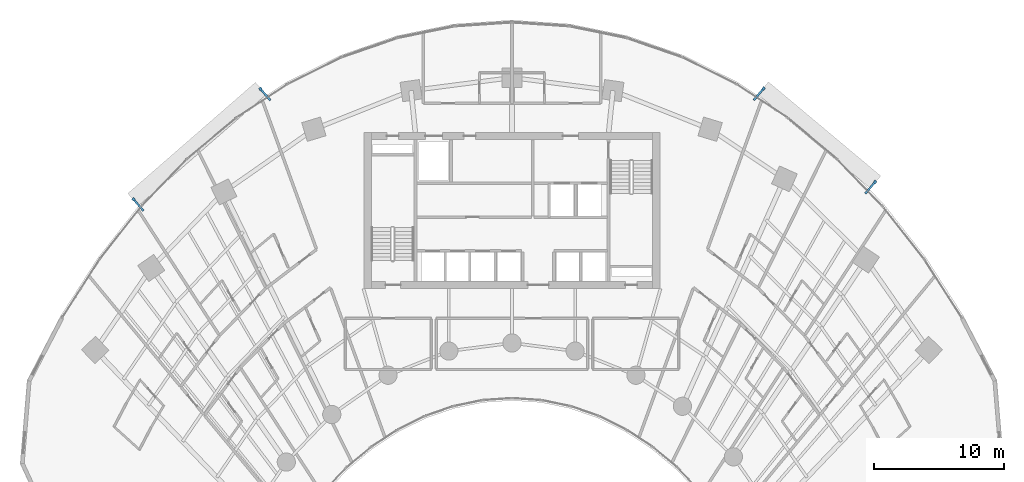
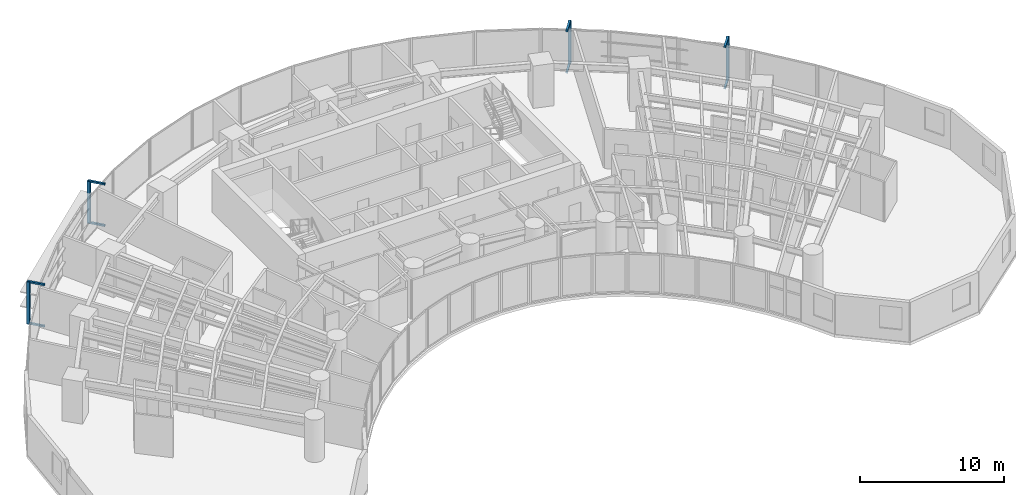
# One storey, part 16 of 18: 12 discrete accessories.
"""IFC4 building model written with IfcOpenShell, lengths in metres."""

from ifc_helpers import new_model, si_unit, direction, frame, origin, origin_2d, place, context, subcontext, project, spatial, rectangle, extrude, source, transform, mapped, material, type_object, type_shapes, element, save


model = new_model("IFC4")

# Units and contexts
model_context = context("Model", 3, precision=1e-05, world=origin(), true_north=direction((0.0, 1.0)))
body_context = subcontext(model_context, "Body", "Model", "MODEL_VIEW")
ifc_project = project(units=[si_unit("LENGTHUNIT", "METRE"), si_unit("AREAUNIT", "SQUARE_METRE"), si_unit("VOLUMEUNIT", "CUBIC_METRE"), si_unit("PLANEANGLEUNIT", "RADIAN"), si_unit("MASSUNIT", "GRAM", prefix="KILO")], contexts=[model_context])

# Site, building, storey
site_placement = place(None, origin())
site = spatial("IfcSite", under=ifc_project, at=site_placement, CompositionType="ELEMENT")
building_placement = place(site_placement, origin())
building = spatial("IfcBuilding", under=site, at=building_placement, Name="Breltana Convention Tower", CompositionType="ELEMENT")
storey_placement = place(building_placement, frame((0.0, 0.0, 35.39990234375)))
storey = spatial("IfcBuildingStorey", under=building, at=storey_placement, Name="L06", CompositionType="ELEMENT", Elevation=35.39990234375)

# Discrete accessories
ifc_material = material(Name="Steel S355", Category="steel")
discrete_accessory_type_1 = type_object("IfcDiscreteAccessoryType", Name="ACC-DSF-BRACKET-150", PredefinedType="BRACKET", material=ifc_material)
shared_shape_1 = source(origin(), body_context, "Body", "SweptSolid", [
    extrude(rectangle(XDim=1.239990234375, YDim=0.14990234375, at=origin_2d()), origin(), (0.0, 0.0, 1.0), 0.139892578125),
])
type_shapes(discrete_accessory_type_1, [shared_shape_1])
for number, where, z_axis, x_axis, name in (
    (1, (19.310791015625, 66.643798828125, -0.15966796875), (0.0, 0.0, 1.0), (-0.656456838663, 0.754363585397, 0.0), "L06 double-skin slab stand-off bracket 1.1B"),
    (2, (19.310791015625, 66.643798828125, 3.3603515625), (0.0, 0.0, 1.0), (-0.656456838663, 0.754363585397, 0.0), "L06 double-skin slab stand-off bracket 1.1T"),
    (3, (29.052978515625, 75.121337890625, -0.15966796875), (0.0, 0.0, 1.0), (-0.656456838663, 0.754363585397, 0.0), "L06 double-skin slab stand-off bracket 1.2B"),
    (4, (29.052978515625, 75.121337890625, 3.3603515625), (0.0, 0.0, 1.0), (-0.656456838663, 0.754363585397, 0.0), "L06 double-skin slab stand-off bracket 1.2T"),
    (5, (66.954833984375, 75.1435546875, -0.15966796875), (0.0, 0.0, 1.0), (0.641990162706, 0.76671287389, 0.0), "L06 double-skin slab stand-off bracket 2.1B"),
    (6, (66.954833984375, 75.1435546875, 3.3603515625), (0.0, 0.0, 1.0), (0.641990162706, 0.76671287389, 0.0), "L06 double-skin slab stand-off bracket 2.1T"),
    (7, (75.516357421875, 67.974853515625, -0.15966796875), (0.0, 0.0, 1.0), (0.641990162706, 0.76671287389, 0.0), "L06 double-skin slab stand-off bracket 2.2B"),
    (8, (75.516357421875, 67.974853515625, 3.3603515625), (0.0, 0.0, 1.0), (0.641990162706, 0.76671287389, 0.0), "L06 double-skin slab stand-off bracket 2.2T"),
):
    element("IfcDiscreteAccessory", number, at=place(storey_placement, frame(where, z_axis=z_axis, x_axis=x_axis)), inside=storey, type_object=discrete_accessory_type_1, Name=name, PredefinedType="BRACKET", context=body_context, shape_type="MappedRepresentation", body=[
        mapped(shared_shape_1, transform((0.0, 0.0, 0.0), scale=1.0)),
    ])
discrete_accessory_type_2 = type_object("IfcDiscreteAccessoryType", Name="ACC-DSF-CARRIER-150", PredefinedType="BRACKET", material=ifc_material)
shared_shape_2 = source(origin(), body_context, "Body", "SweptSolid", [
    extrude(rectangle(XDim=0.219970703125, YDim=0.219970703125, at=origin_2d()), origin(), (0.0, 0.0, 1.0), 3.580078125),
])
for number, where, z_axis, x_axis, name in (
    (9, (18.943115234375, 67.066162109375, -0.119873046875), (0.0, 0.0, 1.0), (-0.656456838663, 0.754363585397, 0.0), "L06 double-skin outer vertical carrier 1.1"),
    (10, (28.685302734375, 75.5439453125, -0.119873046875), (0.0, 0.0, 1.0), (-0.656456838663, 0.754363585397, 0.0), "L06 double-skin outer vertical carrier 1.2"),
    (11, (67.314453125, 75.57275390625, -0.119873046875), (0.0, 0.0, 1.0), (0.641990162706, 0.76671287389, 0.0), "L06 double-skin outer vertical carrier 2.1"),
    (12, (75.875732421875, 68.404052734375, -0.119873046875), (0.0, 0.0, 1.0), (0.641990162706, 0.76671287389, 0.0), "L06 double-skin outer vertical carrier 2.2"),
):
    element("IfcDiscreteAccessory", number, at=place(storey_placement, frame(where, z_axis=z_axis, x_axis=x_axis)), inside=storey, type_object=discrete_accessory_type_2, Name=name, PredefinedType="BRACKET", context=body_context, shape_type="MappedRepresentation", body=[
        mapped(shared_shape_2, transform((0.0, 0.0, 0.0), scale=1.0)),
    ])

save(model, "model.ifc")
